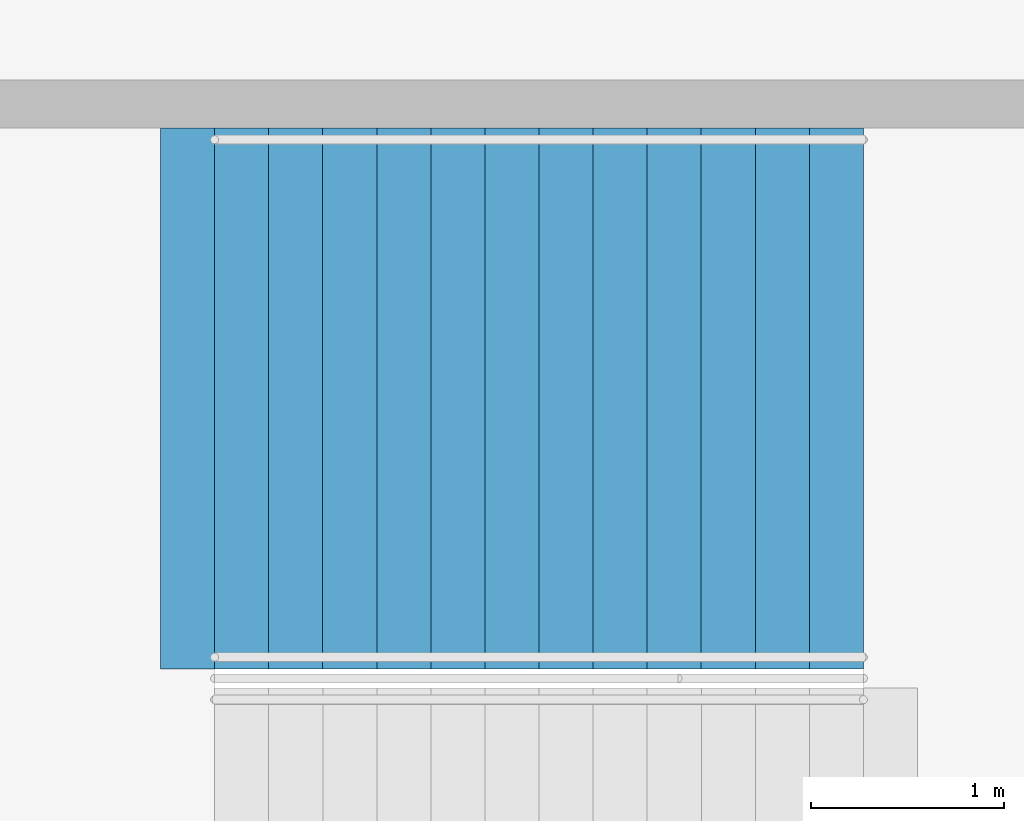
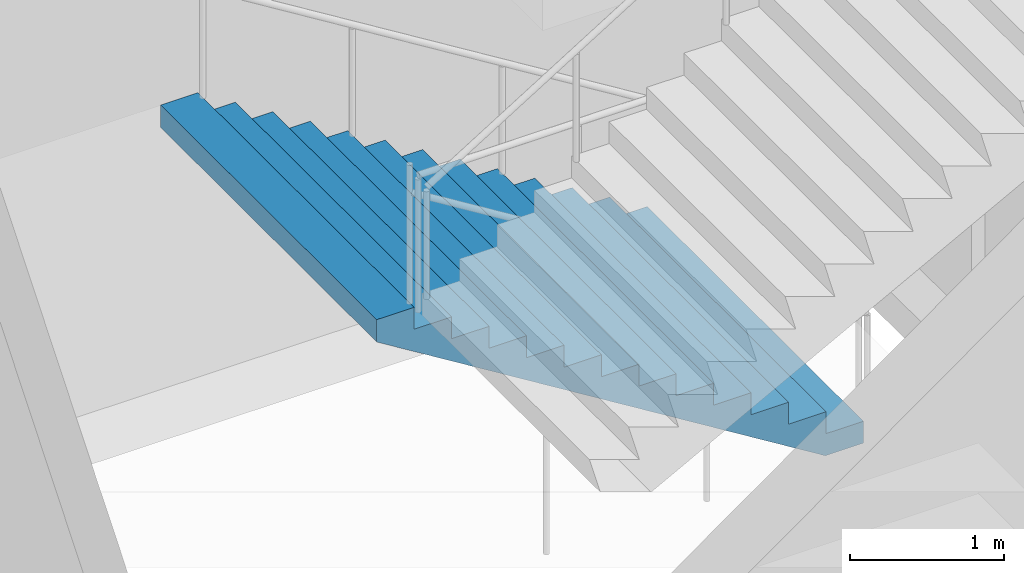
# One storey, part 107 of 177: 1 stair flight, 1 element without a shape of its own.
"""IFC4 building model written with IfcOpenShell, lengths in metres."""

from ifc_helpers import new_model, si_unit, direction, frame, origin, place, context, subcontext, project, spatial, faceted_brep, material, type_object, element, aggregate, save


model = new_model("IFC4")

# Units and contexts
model_context = context("Model", 3, precision=1e-05, world=origin(), true_north=direction((0.0, 1.0)))
body_context = subcontext(model_context, "Body", "Model", "MODEL_VIEW")
ifc_project = project(units=[si_unit("LENGTHUNIT", "METRE"), si_unit("AREAUNIT", "SQUARE_METRE"), si_unit("VOLUMEUNIT", "CUBIC_METRE"), si_unit("PLANEANGLEUNIT", "RADIAN"), si_unit("MASSUNIT", "GRAM", prefix="KILO")], contexts=[model_context])

# Site, building, storey
site_placement = place(None, origin())
site = spatial("IfcSite", under=ifc_project, at=site_placement, CompositionType="ELEMENT")
building_placement = place(site_placement, origin())
building = spatial("IfcBuilding", under=site, at=building_placement, Name="Ogive Plaza Stadium", CompositionType="ELEMENT")
storey_placement = place(building_placement, frame((0.0, 0.0, 18.0)))
storey = spatial("IfcBuildingStorey", under=building, at=storey_placement, Name="L04", CompositionType="ELEMENT", Elevation=18.0)

# Stair, stair flight
ifc_material_1 = material(Name="Concrete C40/50", Category="concrete")
stair_type = type_object("IfcStairType", Name="Exit stair", PredefinedType="STRAIGHT_RUN_STAIR", material=ifc_material_1)
stair_placement = place(storey_placement, origin())
stair = element("IfcStair", 1, at=stair_placement, inside=storey, type_object=stair_type, Name="Exit stair ST22A L04 to L05", PredefinedType="STRAIGHT_RUN_STAIR")
ifc_material_2 = material(Name="Concrete C40/50", Category="concrete")
stair_flight_type = type_object("IfcStairFlightType", Name="Exit stair flight", PredefinedType="STRAIGHT", material=ifc_material_2)
stair_flight_placement = place(storey_placement, frame((-76.35009765625, -33.074951171875, 0.0), z_axis=(0.0, 0.0, 1.0), x_axis=(-1.0, 0.0, 0.0)))
stair_flight = element("IfcStairFlight", 2, at=stair_flight_placement, type_object=stair_flight_type, Name="ST22A flight 1", NumberOfRisers=13, NumberOfTreads=12, PredefinedType="STRAIGHT", RiserHeight=0.173076923, TreadLength=0.28, context=body_context, shape_type="Brep", body=[
    faceted_brep([(0.28515625, -1.39990234375, 0.0), (3.639892578125, -1.39990234375, 2.07373046875), (3.639892578125, -1.39990234375, 2.25), (3.360107421875, -1.39990234375, 2.25), (3.360107421875, -1.39990234375, 2.076904296875), (3.080078125, -1.39990234375, 2.076904296875), (3.080078125, -1.39990234375, 1.90380859375), (2.800048828125, -1.39990234375, 1.90380859375), (2.800048828125, -1.39990234375, 1.730712890625), (2.52001953125, -1.39990234375, 1.730712890625), (2.52001953125, -1.39990234375, 1.5576171875), (2.239990234375, -1.39990234375, 1.5576171875), (2.239990234375, -1.39990234375, 1.384521484375), (1.9599609375, -1.39990234375, 1.384521484375), (1.9599609375, -1.39990234375, 1.21142578125), (1.679931640625, -1.39990234375, 1.21142578125), (1.679931640625, -1.39990234375, 1.03857421875), (1.39990234375, -1.39990234375, 1.03857421875), (1.39990234375, -1.39990234375, 0.865478515625), (1.1201171875, -1.39990234375, 0.865478515625), (1.1201171875, -1.39990234375, 0.6923828125), (0.840087890625, -1.39990234375, 0.6923828125), (0.840087890625, -1.39990234375, 0.519287109375), (0.56005859375, -1.39990234375, 0.519287109375), (0.56005859375, -1.39990234375, 0.34619140625), (0.280029296875, -1.39990234375, 0.34619140625), (0.280029296875, -1.39990234375, 0.173095703125), (0.0, -1.39990234375, 0.173095703125), (0.0, -1.39990234375, 0.0), (0.0, 1.39990234375, 0.0), (0.0, 1.39990234375, 0.173095703125), (0.280029296875, 1.39990234375, 0.173095703125), (0.280029296875, 1.39990234375, 0.34619140625), (0.56005859375, 1.39990234375, 0.34619140625), (0.56005859375, 1.39990234375, 0.519287109375), (0.840087890625, 1.39990234375, 0.519287109375), (0.840087890625, 1.39990234375, 0.6923828125), (1.1201171875, 1.39990234375, 0.6923828125), (1.1201171875, 1.39990234375, 0.865478515625), (1.39990234375, 1.39990234375, 0.865478515625), (1.39990234375, 1.39990234375, 1.03857421875), (1.679931640625, 1.39990234375, 1.03857421875), (1.679931640625, 1.39990234375, 1.21142578125), (1.9599609375, 1.39990234375, 1.21142578125), (1.9599609375, 1.39990234375, 1.384521484375), (2.239990234375, 1.39990234375, 1.384521484375), (2.239990234375, 1.39990234375, 1.5576171875), (2.52001953125, 1.39990234375, 1.5576171875), (2.52001953125, 1.39990234375, 1.730712890625), (2.800048828125, 1.39990234375, 1.730712890625), (2.800048828125, 1.39990234375, 1.90380859375), (3.080078125, 1.39990234375, 1.90380859375), (3.080078125, 1.39990234375, 2.076904296875), (3.360107421875, 1.39990234375, 2.076904296875), (3.360107421875, 1.39990234375, 2.25), (3.639892578125, 1.39990234375, 2.25), (3.639892578125, 1.39990234375, 2.07373046875), (0.28515625, 1.39990234375, 0.0), (0.28515625, -1.0888671875, 0.0), (3.639892578125, -1.0888671875, 2.07373046875), (0.28515625, -0.77783203125, 0.0), (3.639892578125, -0.77783203125, 2.07373046875), (0.28515625, -0.466796875, 0.0), (3.639892578125, -0.466796875, 2.07373046875), (0.28515625, -0.155517578125, 0.0), (3.639892578125, -0.155517578125, 2.07373046875), (0.28515625, 0.155517578125, 0.0), (3.639892578125, 0.155517578125, 2.07373046875), (0.28515625, 0.466796875, 0.0), (3.639892578125, 0.466796875, 2.07373046875), (0.28515625, 0.77783203125, 0.0), (3.639892578125, 0.77783203125, 2.07373046875), (0.28515625, 1.0888671875, 0.0), (3.639892578125, 1.0888671875, 2.07373046875), (3.639892578125, -1.0888671875, 2.25), (3.639892578125, -0.77783203125, 2.25), (3.639892578125, -0.466796875, 2.25), (3.639892578125, -0.155517578125, 2.25), (3.639892578125, 0.155517578125, 2.25), (3.639892578125, 0.466796875, 2.25), (3.639892578125, 0.77783203125, 2.25), (3.639892578125, 1.0888671875, 2.25), (3.360107421875, -1.0888671875, 2.25), (3.360107421875, -0.77783203125, 2.25), (3.360107421875, -0.466796875, 2.25), (3.360107421875, -0.155517578125, 2.25), (3.360107421875, 0.155517578125, 2.25), (3.360107421875, 0.466796875, 2.25), (3.360107421875, 0.77783203125, 2.25), (3.360107421875, 1.0888671875, 2.25), (3.360107421875, -1.0888671875, 2.076904296875), (3.360107421875, -0.77783203125, 2.076904296875), (3.360107421875, -0.466796875, 2.076904296875), (3.360107421875, -0.155517578125, 2.076904296875), (3.360107421875, 0.155517578125, 2.076904296875), (3.360107421875, 0.466796875, 2.076904296875), (3.360107421875, 0.77783203125, 2.076904296875), (3.360107421875, 1.0888671875, 2.076904296875), (3.080078125, -1.0888671875, 2.076904296875), (3.080078125, -0.77783203125, 2.076904296875), (3.080078125, -0.466796875, 2.076904296875), (3.080078125, -0.155517578125, 2.076904296875), (3.080078125, 0.155517578125, 2.076904296875), (3.080078125, 0.466796875, 2.076904296875), (3.080078125, 0.77783203125, 2.076904296875), (3.080078125, 1.0888671875, 2.076904296875), (3.080078125, -1.0888671875, 1.90380859375), (3.080078125, -0.77783203125, 1.90380859375), (3.080078125, -0.466796875, 1.90380859375), (3.080078125, -0.155517578125, 1.90380859375), (3.080078125, 0.155517578125, 1.90380859375), (3.080078125, 0.466796875, 1.90380859375), (3.080078125, 0.77783203125, 1.90380859375), (3.080078125, 1.0888671875, 1.90380859375), (2.800048828125, -1.0888671875, 1.90380859375), (2.800048828125, -0.77783203125, 1.90380859375), (2.800048828125, -0.466796875, 1.90380859375), (2.800048828125, -0.155517578125, 1.90380859375), (2.800048828125, 0.155517578125, 1.90380859375), (2.800048828125, 0.466796875, 1.90380859375), (2.800048828125, 0.77783203125, 1.90380859375), (2.800048828125, 1.0888671875, 1.90380859375), (2.800048828125, -1.0888671875, 1.730712890625), (2.800048828125, -0.77783203125, 1.730712890625), (2.800048828125, -0.466796875, 1.730712890625), (2.800048828125, -0.155517578125, 1.730712890625), (2.800048828125, 0.155517578125, 1.730712890625), (2.800048828125, 0.466796875, 1.730712890625), (2.800048828125, 0.77783203125, 1.730712890625), (2.800048828125, 1.0888671875, 1.730712890625), (2.52001953125, -1.0888671875, 1.730712890625), (2.52001953125, -0.77783203125, 1.730712890625), (2.52001953125, -0.466796875, 1.730712890625), (2.52001953125, -0.155517578125, 1.730712890625), (2.52001953125, 0.155517578125, 1.730712890625), (2.52001953125, 0.466796875, 1.730712890625), (2.52001953125, 0.77783203125, 1.730712890625), (2.52001953125, 1.0888671875, 1.730712890625), (2.52001953125, -1.0888671875, 1.5576171875), (2.52001953125, -0.77783203125, 1.5576171875), (2.52001953125, -0.466796875, 1.5576171875), (2.52001953125, -0.155517578125, 1.5576171875), (2.52001953125, 0.155517578125, 1.5576171875), (2.52001953125, 0.466796875, 1.5576171875), (2.52001953125, 0.77783203125, 1.5576171875), (2.52001953125, 1.0888671875, 1.5576171875), (2.239990234375, -1.0888671875, 1.5576171875), (2.239990234375, -0.77783203125, 1.5576171875), (2.239990234375, -0.466796875, 1.5576171875), (2.239990234375, -0.155517578125, 1.5576171875), (2.239990234375, 0.155517578125, 1.5576171875), (2.239990234375, 0.466796875, 1.5576171875), (2.239990234375, 0.77783203125, 1.5576171875), (2.239990234375, 1.0888671875, 1.5576171875), (2.239990234375, -1.0888671875, 1.384521484375), (2.239990234375, -0.77783203125, 1.384521484375), (2.239990234375, -0.466796875, 1.384521484375), (2.239990234375, -0.155517578125, 1.384521484375), (2.239990234375, 0.155517578125, 1.384521484375), (2.239990234375, 0.466796875, 1.384521484375), (2.239990234375, 0.77783203125, 1.384521484375), (2.239990234375, 1.0888671875, 1.384521484375), (1.9599609375, -1.0888671875, 1.384521484375), (1.9599609375, -0.77783203125, 1.384521484375), (1.9599609375, -0.466796875, 1.384521484375), (1.9599609375, -0.155517578125, 1.384521484375), (1.9599609375, 0.155517578125, 1.384521484375), (1.9599609375, 0.466796875, 1.384521484375), (1.9599609375, 0.77783203125, 1.384521484375), (1.9599609375, 1.0888671875, 1.384521484375), (1.9599609375, -1.0888671875, 1.21142578125), (1.9599609375, -0.77783203125, 1.21142578125), (1.9599609375, -0.466796875, 1.21142578125), (1.9599609375, -0.155517578125, 1.21142578125), (1.9599609375, 0.155517578125, 1.21142578125), (1.9599609375, 0.466796875, 1.21142578125), (1.9599609375, 0.77783203125, 1.21142578125), (1.9599609375, 1.0888671875, 1.21142578125), (1.679931640625, -1.0888671875, 1.21142578125), (1.679931640625, -0.77783203125, 1.21142578125), (1.679931640625, -0.466796875, 1.21142578125), (1.679931640625, -0.155517578125, 1.21142578125), (1.679931640625, 0.155517578125, 1.21142578125), (1.679931640625, 0.466796875, 1.21142578125), (1.679931640625, 0.77783203125, 1.21142578125), (1.679931640625, 1.0888671875, 1.21142578125), (1.679931640625, -1.0888671875, 1.03857421875), (1.679931640625, -0.77783203125, 1.03857421875), (1.679931640625, -0.466796875, 1.03857421875), (1.679931640625, -0.155517578125, 1.03857421875), (1.679931640625, 0.155517578125, 1.03857421875), (1.679931640625, 0.466796875, 1.03857421875), (1.679931640625, 0.77783203125, 1.03857421875), (1.679931640625, 1.0888671875, 1.03857421875), (1.39990234375, -1.0888671875, 1.03857421875), (1.39990234375, -0.77783203125, 1.03857421875), (1.39990234375, -0.466796875, 1.03857421875), (1.39990234375, -0.155517578125, 1.03857421875), (1.39990234375, 0.155517578125, 1.03857421875), (1.39990234375, 0.466796875, 1.03857421875), (1.39990234375, 0.77783203125, 1.03857421875), (1.39990234375, 1.0888671875, 1.03857421875), (1.39990234375, -1.0888671875, 0.865478515625), (1.39990234375, -0.77783203125, 0.865478515625), (1.39990234375, -0.466796875, 0.865478515625), (1.39990234375, -0.155517578125, 0.865478515625), (1.39990234375, 0.155517578125, 0.865478515625), (1.39990234375, 0.466796875, 0.865478515625), (1.39990234375, 0.77783203125, 0.865478515625), (1.39990234375, 1.0888671875, 0.865478515625), (1.1201171875, -1.0888671875, 0.865478515625), (1.1201171875, -0.77783203125, 0.865478515625), (1.1201171875, -0.466796875, 0.865478515625), (1.1201171875, -0.155517578125, 0.865478515625), (1.1201171875, 0.155517578125, 0.865478515625), (1.1201171875, 0.466796875, 0.865478515625), (1.1201171875, 0.77783203125, 0.865478515625), (1.1201171875, 1.0888671875, 0.865478515625), (1.1201171875, -1.0888671875, 0.6923828125), (1.1201171875, -0.77783203125, 0.6923828125), (1.1201171875, -0.466796875, 0.6923828125), (1.1201171875, -0.155517578125, 0.6923828125), (1.1201171875, 0.155517578125, 0.6923828125), (1.1201171875, 0.466796875, 0.6923828125), (1.1201171875, 0.77783203125, 0.6923828125), (1.1201171875, 1.0888671875, 0.6923828125), (0.840087890625, -1.0888671875, 0.6923828125), (0.840087890625, -0.77783203125, 0.6923828125), (0.840087890625, -0.466796875, 0.6923828125), (0.840087890625, -0.155517578125, 0.6923828125), (0.840087890625, 0.155517578125, 0.6923828125), (0.840087890625, 0.466796875, 0.6923828125), (0.840087890625, 0.77783203125, 0.6923828125), (0.840087890625, 1.0888671875, 0.6923828125), (0.840087890625, -1.0888671875, 0.519287109375), (0.840087890625, -0.77783203125, 0.519287109375), (0.840087890625, -0.466796875, 0.519287109375), (0.840087890625, -0.155517578125, 0.519287109375), (0.840087890625, 0.155517578125, 0.519287109375), (0.840087890625, 0.466796875, 0.519287109375), (0.840087890625, 0.77783203125, 0.519287109375), (0.840087890625, 1.0888671875, 0.519287109375), (0.56005859375, -1.0888671875, 0.519287109375), (0.56005859375, -0.77783203125, 0.519287109375), (0.56005859375, -0.466796875, 0.519287109375), (0.56005859375, -0.155517578125, 0.519287109375), (0.56005859375, 0.155517578125, 0.519287109375), (0.56005859375, 0.466796875, 0.519287109375), (0.56005859375, 0.77783203125, 0.519287109375), (0.56005859375, 1.0888671875, 0.519287109375), (0.56005859375, -1.0888671875, 0.34619140625), (0.56005859375, -0.77783203125, 0.34619140625), (0.56005859375, -0.466796875, 0.34619140625), (0.56005859375, -0.155517578125, 0.34619140625), (0.56005859375, 0.155517578125, 0.34619140625), (0.56005859375, 0.466796875, 0.34619140625), (0.56005859375, 0.77783203125, 0.34619140625), (0.56005859375, 1.0888671875, 0.34619140625), (0.280029296875, -1.0888671875, 0.34619140625), (0.280029296875, -0.77783203125, 0.34619140625), (0.280029296875, -0.466796875, 0.34619140625), (0.280029296875, -0.155517578125, 0.34619140625), (0.280029296875, 0.155517578125, 0.34619140625), (0.280029296875, 0.466796875, 0.34619140625), (0.280029296875, 0.77783203125, 0.34619140625), (0.280029296875, 1.0888671875, 0.34619140625), (0.280029296875, -1.0888671875, 0.173095703125), (0.280029296875, -0.77783203125, 0.173095703125), (0.280029296875, -0.466796875, 0.173095703125), (0.280029296875, -0.155517578125, 0.173095703125), (0.280029296875, 0.155517578125, 0.173095703125), (0.280029296875, 0.466796875, 0.173095703125), (0.280029296875, 0.77783203125, 0.173095703125), (0.280029296875, 1.0888671875, 0.173095703125), (0.0, -1.0888671875, 0.173095703125), (0.0, -0.77783203125, 0.173095703125), (0.0, -0.466796875, 0.173095703125), (0.0, -0.155517578125, 0.173095703125), (0.0, 0.155517578125, 0.173095703125), (0.0, 0.466796875, 0.173095703125), (0.0, 0.77783203125, 0.173095703125), (0.0, 1.0888671875, 0.173095703125), (0.0, -1.0888671875, 0.0), (0.0, -0.77783203125, 0.0), (0.0, -0.466796875, 0.0), (0.0, -0.155517578125, 0.0), (0.0, 0.155517578125, 0.0), (0.0, 0.466796875, 0.0), (0.0, 0.77783203125, 0.0), (0.0, 1.0888671875, 0.0)], [[[0, 1, 2, 3, 4, 5, 6, 7, 8, 9, 10, 11, 12, 13, 14, 15, 16, 17, 18, 19, 20, 21, 22, 23, 24, 25, 26, 27, 28]], [[29, 30, 31, 32, 33, 34, 35, 36, 37, 38, 39, 40, 41, 42, 43, 44, 45, 46, 47, 48, 49, 50, 51, 52, 53, 54, 55, 56, 57]], [[0, 58, 59, 1]], [[58, 60, 61, 59]], [[60, 62, 63, 61]], [[62, 64, 65, 63]], [[64, 66, 67, 65]], [[66, 68, 69, 67]], [[68, 70, 71, 69]], [[70, 72, 73, 71]], [[72, 57, 56, 73]], [[1, 59, 74, 2]], [[59, 61, 75, 74]], [[61, 63, 76, 75]], [[63, 65, 77, 76]], [[65, 67, 78, 77]], [[67, 69, 79, 78]], [[69, 71, 80, 79]], [[71, 73, 81, 80]], [[73, 56, 55, 81]], [[2, 74, 82, 3]], [[74, 75, 83, 82]], [[75, 76, 84, 83]], [[76, 77, 85, 84]], [[77, 78, 86, 85]], [[78, 79, 87, 86]], [[79, 80, 88, 87]], [[80, 81, 89, 88]], [[81, 55, 54, 89]], [[3, 82, 90, 4]], [[82, 83, 91, 90]], [[83, 84, 92, 91]], [[84, 85, 93, 92]], [[85, 86, 94, 93]], [[86, 87, 95, 94]], [[87, 88, 96, 95]], [[88, 89, 97, 96]], [[89, 54, 53, 97]], [[4, 90, 98, 5]], [[90, 91, 99, 98]], [[91, 92, 100, 99]], [[92, 93, 101, 100]], [[93, 94, 102, 101]], [[94, 95, 103, 102]], [[95, 96, 104, 103]], [[96, 97, 105, 104]], [[97, 53, 52, 105]], [[5, 98, 106, 6]], [[98, 99, 107, 106]], [[99, 100, 108, 107]], [[100, 101, 109, 108]], [[101, 102, 110, 109]], [[102, 103, 111, 110]], [[103, 104, 112, 111]], [[104, 105, 113, 112]], [[105, 52, 51, 113]], [[6, 106, 114, 7]], [[106, 107, 115, 114]], [[107, 108, 116, 115]], [[108, 109, 117, 116]], [[109, 110, 118, 117]], [[110, 111, 119, 118]], [[111, 112, 120, 119]], [[112, 113, 121, 120]], [[113, 51, 50, 121]], [[7, 114, 122, 8]], [[114, 115, 123, 122]], [[115, 116, 124, 123]], [[116, 117, 125, 124]], [[117, 118, 126, 125]], [[118, 119, 127, 126]], [[119, 120, 128, 127]], [[120, 121, 129, 128]], [[121, 50, 49, 129]], [[8, 122, 130, 9]], [[122, 123, 131, 130]], [[123, 124, 132, 131]], [[124, 125, 133, 132]], [[125, 126, 134, 133]], [[126, 127, 135, 134]], [[127, 128, 136, 135]], [[128, 129, 137, 136]], [[129, 49, 48, 137]], [[9, 130, 138, 10]], [[130, 131, 139, 138]], [[131, 132, 140, 139]], [[132, 133, 141, 140]], [[133, 134, 142, 141]], [[134, 135, 143, 142]], [[135, 136, 144, 143]], [[136, 137, 145, 144]], [[137, 48, 47, 145]], [[10, 138, 146, 11]], [[138, 139, 147, 146]], [[139, 140, 148, 147]], [[140, 141, 149, 148]], [[141, 142, 150, 149]], [[142, 143, 151, 150]], [[143, 144, 152, 151]], [[144, 145, 153, 152]], [[145, 47, 46, 153]], [[11, 146, 154, 12]], [[146, 147, 155, 154]], [[147, 148, 156, 155]], [[148, 149, 157, 156]], [[149, 150, 158, 157]], [[150, 151, 159, 158]], [[151, 152, 160, 159]], [[152, 153, 161, 160]], [[153, 46, 45, 161]], [[12, 154, 162, 13]], [[154, 155, 163, 162]], [[155, 156, 164, 163]], [[156, 157, 165, 164]], [[157, 158, 166, 165]], [[158, 159, 167, 166]], [[159, 160, 168, 167]], [[160, 161, 169, 168]], [[161, 45, 44, 169]], [[13, 162, 170, 14]], [[162, 163, 171, 170]], [[163, 164, 172, 171]], [[164, 165, 173, 172]], [[165, 166, 174, 173]], [[166, 167, 175, 174]], [[167, 168, 176, 175]], [[168, 169, 177, 176]], [[169, 44, 43, 177]], [[14, 170, 178, 15]], [[170, 171, 179, 178]], [[171, 172, 180, 179]], [[172, 173, 181, 180]], [[173, 174, 182, 181]], [[174, 175, 183, 182]], [[175, 176, 184, 183]], [[176, 177, 185, 184]], [[177, 43, 42, 185]], [[15, 178, 186, 16]], [[178, 179, 187, 186]], [[179, 180, 188, 187]], [[180, 181, 189, 188]], [[181, 182, 190, 189]], [[182, 183, 191, 190]], [[183, 184, 192, 191]], [[184, 185, 193, 192]], [[185, 42, 41, 193]], [[16, 186, 194, 17]], [[186, 187, 195, 194]], [[187, 188, 196, 195]], [[188, 189, 197, 196]], [[189, 190, 198, 197]], [[190, 191, 199, 198]], [[191, 192, 200, 199]], [[192, 193, 201, 200]], [[193, 41, 40, 201]], [[17, 194, 202, 18]], [[194, 195, 203, 202]], [[195, 196, 204, 203]], [[196, 197, 205, 204]], [[197, 198, 206, 205]], [[198, 199, 207, 206]], [[199, 200, 208, 207]], [[200, 201, 209, 208]], [[201, 40, 39, 209]], [[18, 202, 210, 19]], [[202, 203, 211, 210]], [[203, 204, 212, 211]], [[204, 205, 213, 212]], [[205, 206, 214, 213]], [[206, 207, 215, 214]], [[207, 208, 216, 215]], [[208, 209, 217, 216]], [[209, 39, 38, 217]], [[19, 210, 218, 20]], [[210, 211, 219, 218]], [[211, 212, 220, 219]], [[212, 213, 221, 220]], [[213, 214, 222, 221]], [[214, 215, 223, 222]], [[215, 216, 224, 223]], [[216, 217, 225, 224]], [[217, 38, 37, 225]], [[20, 218, 226, 21]], [[218, 219, 227, 226]], [[219, 220, 228, 227]], [[220, 221, 229, 228]], [[221, 222, 230, 229]], [[222, 223, 231, 230]], [[223, 224, 232, 231]], [[224, 225, 233, 232]], [[225, 37, 36, 233]], [[21, 226, 234, 22]], [[226, 227, 235, 234]], [[227, 228, 236, 235]], [[228, 229, 237, 236]], [[229, 230, 238, 237]], [[230, 231, 239, 238]], [[231, 232, 240, 239]], [[232, 233, 241, 240]], [[233, 36, 35, 241]], [[22, 234, 242, 23]], [[234, 235, 243, 242]], [[235, 236, 244, 243]], [[236, 237, 245, 244]], [[237, 238, 246, 245]], [[238, 239, 247, 246]], [[239, 240, 248, 247]], [[240, 241, 249, 248]], [[241, 35, 34, 249]], [[23, 242, 250, 24]], [[242, 243, 251, 250]], [[243, 244, 252, 251]], [[244, 245, 253, 252]], [[245, 246, 254, 253]], [[246, 247, 255, 254]], [[247, 248, 256, 255]], [[248, 249, 257, 256]], [[249, 34, 33, 257]], [[24, 250, 258, 25]], [[250, 251, 259, 258]], [[251, 252, 260, 259]], [[252, 253, 261, 260]], [[253, 254, 262, 261]], [[254, 255, 263, 262]], [[255, 256, 264, 263]], [[256, 257, 265, 264]], [[257, 33, 32, 265]], [[25, 258, 266, 26]], [[258, 259, 267, 266]], [[259, 260, 268, 267]], [[260, 261, 269, 268]], [[261, 262, 270, 269]], [[262, 263, 271, 270]], [[263, 264, 272, 271]], [[264, 265, 273, 272]], [[265, 32, 31, 273]], [[26, 266, 274, 27]], [[266, 267, 275, 274]], [[267, 268, 276, 275]], [[268, 269, 277, 276]], [[269, 270, 278, 277]], [[270, 271, 279, 278]], [[271, 272, 280, 279]], [[272, 273, 281, 280]], [[273, 31, 30, 281]], [[27, 274, 282, 28]], [[274, 275, 283, 282]], [[275, 276, 284, 283]], [[276, 277, 285, 284]], [[277, 278, 286, 285]], [[278, 279, 287, 286]], [[279, 280, 288, 287]], [[280, 281, 289, 288]], [[281, 30, 29, 289]], [[28, 282, 58, 0]], [[282, 283, 60, 58]], [[283, 284, 62, 60]], [[284, 285, 64, 62]], [[285, 286, 66, 64]], [[286, 287, 68, 66]], [[287, 288, 70, 68]], [[288, 289, 72, 70]], [[289, 29, 57, 72]]]),
])
aggregate(stair, [stair_flight])

save(model, "model.ifc")
